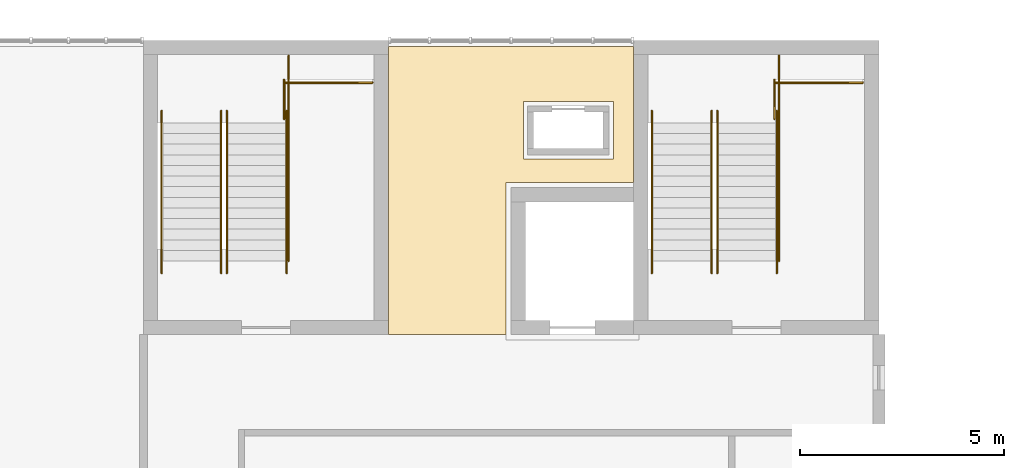
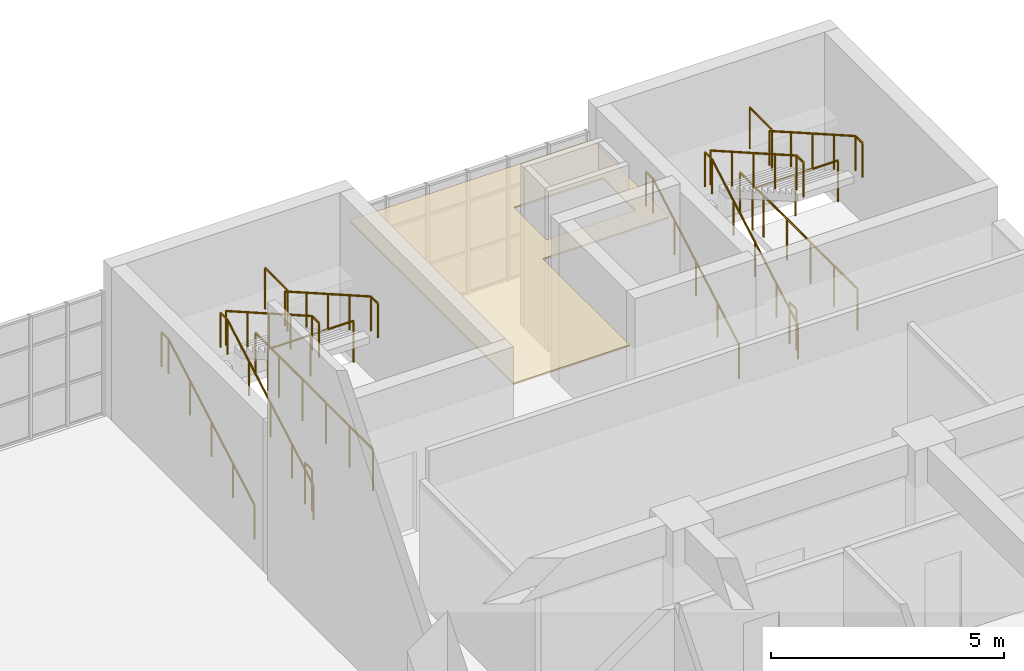
# One storey, part 91 of 92: 16 railings, 1 covering.
"""IFC4 building model written with IfcOpenShell, lengths in metres."""

from ifc_helpers import new_model, si_unit, direction, frame, origin, origin_2d, place, context, subcontext, project, spatial, polyline, circle, outline, extrude, material, layer, layer_set, type_object, element, save


model = new_model("IFC4")

# Units and contexts
model_context = context("Model", 3, precision=1e-05, world=origin(), true_north=direction((0.0, 1.0)))
body_context = subcontext(model_context, "Body", "Model", "MODEL_VIEW")
ifc_project = project(units=[si_unit("LENGTHUNIT", "METRE"), si_unit("AREAUNIT", "SQUARE_METRE"), si_unit("VOLUMEUNIT", "CUBIC_METRE"), si_unit("PLANEANGLEUNIT", "RADIAN"), si_unit("MASSUNIT", "GRAM", prefix="KILO")], contexts=[model_context])

# Site, building, storey
site_placement = place(None, origin())
site = spatial("IfcSite", under=ifc_project, at=site_placement, CompositionType="ELEMENT")
building_placement = place(site_placement, origin())
building = spatial("IfcBuilding", under=site, at=building_placement, Name="Laocheng Heights Fire and Rescue Headquarters", CompositionType="ELEMENT")
storey_placement = place(building_placement, frame((0.0, 0.0, 12.60009765625)))
storey = spatial("IfcBuildingStorey", under=building, at=storey_placement, Name="L03", CompositionType="ELEMENT", Elevation=12.60009765625)

# Railings
ifc_material_1 = material(Name="Steel Q355B", Category="steel")
railing_type_1 = type_object("IfcRailingType", Name="STAIR GUARD 1100", PredefinedType="GUARDRAIL", material=ifc_material_1)
railing_1_placement = place(storey_placement, frame((80.044921875, 66.900146484375, 0.0)))
element("IfcRailing", 1, at=railing_1_placement, inside=storey, type_object=railing_type_1, Name="Stair H2 guard L03 well edge", PredefinedType="GUARDRAIL", context=body_context, shape_type="SweptSolid", body=[
    extrude(circle(Radius=0.02392578125, at=origin_2d()), frame((0.0, 0.0, 1.076171875), z_axis=(0.0, -1.0, 0.0), x_axis=(1.0, 0.0, 0.0)), (0.0, 0.0, 1.0), 0.300048828125),
    extrude(circle(Radius=0.02099609375, at=origin_2d()), origin(), (0.0, 0.0, 1.0), 1.052001953125),
    extrude(circle(Radius=0.02099609375, at=origin_2d()), frame((0.0, -0.300048828125, 0.0)), (0.0, 0.0, 1.0), 1.052001953125),
])
railing_2_placement = place(storey_placement, frame((81.47509765625, 70.969970703125, 0.0)))
element("IfcRailing", 2, at=railing_2_placement, inside=storey, type_object=railing_type_1, Name="Stair H2 guard L03 tongue edge", PredefinedType="GUARDRAIL", context=body_context, shape_type="SweptSolid", body=[
    extrude(circle(Radius=0.02392578125, at=origin_2d()), frame((0.0, 0.0, 1.076171875), z_axis=(1.0, 0.0, 0.0), x_axis=(0.0, 1.0, 0.0)), (0.0, 0.0, 1.0), 2.125),
    extrude(circle(Radius=0.02099609375, at=origin_2d()), origin(), (0.0, 0.0, 1.0), 1.052001953125),
    extrude(circle(Radius=0.02099609375, at=origin_2d()), frame((1.0625, 0.0, 0.0)), (0.0, 0.0, 1.0), 1.052001953125),
    extrude(circle(Radius=0.02099609375, at=origin_2d()), frame((2.125, 0.0, 0.0)), (0.0, 0.0, 1.0), 1.052001953125),
])
railing_3_placement = place(storey_placement, frame((81.554931640625, 71.6298828125, 0.0)))
element("IfcRailing", 3, at=railing_3_placement, inside=storey, type_object=railing_type_1, Name="Stair H2 guard L03 strip edge", PredefinedType="GUARDRAIL", context=body_context, shape_type="SweptSolid", body=[
    extrude(circle(Radius=0.02392578125, at=origin_2d()), frame((0.0, 0.0, 1.076171875), z_axis=(0.0, -1.0, 0.0), x_axis=(1.0, 0.0, 0.0)), (0.0, 0.0, 1.0), 5.02978515625),
    extrude(circle(Radius=0.02099609375, at=origin_2d()), origin(), (0.0, 0.0, 1.0), 1.052001953125),
    extrude(circle(Radius=0.02099609375, at=origin_2d()), frame((0.0, -1.005859375, 0.0)), (0.0, 0.0, 1.0), 1.052001953125),
    extrude(circle(Radius=0.02099609375, at=origin_2d()), frame((0.0, -2.011962890625, 0.0)), (0.0, 0.0, 1.0), 1.052001953125),
    extrude(circle(Radius=0.02099609375, at=origin_2d()), frame((0.0, -3.017822265625, 0.0)), (0.0, 0.0, 1.0), 1.052001953125),
    extrude(circle(Radius=0.02099609375, at=origin_2d()), frame((0.0, -4.02392578125, 0.0)), (0.0, 0.0, 1.0), 1.052001953125),
    extrude(circle(Radius=0.02099609375, at=origin_2d()), frame((0.0, -5.02978515625, 0.0)), (0.0, 0.0, 1.0), 1.052001953125),
])
railing_4_placement = place(storey_placement, frame((81.445068359375, 71.030029296875, 2.099853515625)))
element("IfcRailing", 4, at=railing_4_placement, inside=storey, type_object=railing_type_1, Name="Stair H2 guard L03 half landing", PredefinedType="GUARDRAIL", context=body_context, shape_type="SweptSolid", body=[
    extrude(circle(Radius=0.02392578125, at=origin_2d()), frame((0.0, 0.0, 1.076171875), z_axis=(0.0, -1.0, 0.0), x_axis=(1.0, 0.0, 0.0)), (0.0, 0.0, 1.0), 0.949951171875),
    extrude(circle(Radius=0.02099609375, at=origin_2d()), origin(), (0.0, 0.0, 1.0), 1.052001953125),
    extrude(circle(Radius=0.02099609375, at=origin_2d()), frame((0.0, -0.949951171875, 0.0)), (0.0, 0.0, 1.0), 1.052001953125),
])
railing_5_placement = place(storey_placement, frame((68.044921875, 66.900146484375, 0.0)))
element("IfcRailing", 5, at=railing_5_placement, inside=storey, type_object=railing_type_1, Name="Stair H3 guard L03 well edge", PredefinedType="GUARDRAIL", context=body_context, shape_type="SweptSolid", body=[
    extrude(circle(Radius=0.02392578125, at=origin_2d()), frame((0.0, 0.0, 1.076171875), z_axis=(0.0, -1.0, 0.0), x_axis=(1.0, 0.0, 0.0)), (0.0, 0.0, 1.0), 0.300048828125),
    extrude(circle(Radius=0.02099609375, at=origin_2d()), origin(), (0.0, 0.0, 1.0), 1.052001953125),
    extrude(circle(Radius=0.02099609375, at=origin_2d()), frame((0.0, -0.300048828125, 0.0)), (0.0, 0.0, 1.0), 1.052001953125),
])
railing_6_placement = place(storey_placement, frame((69.47509765625, 70.969970703125, 0.0)))
element("IfcRailing", 6, at=railing_6_placement, inside=storey, type_object=railing_type_1, Name="Stair H3 guard L03 tongue edge", PredefinedType="GUARDRAIL", context=body_context, shape_type="SweptSolid", body=[
    extrude(circle(Radius=0.02392578125, at=origin_2d()), frame((0.0, 0.0, 1.076171875), z_axis=(1.0, 0.0, 0.0), x_axis=(0.0, 1.0, 0.0)), (0.0, 0.0, 1.0), 2.125),
    extrude(circle(Radius=0.02099609375, at=origin_2d()), origin(), (0.0, 0.0, 1.0), 1.052001953125),
    extrude(circle(Radius=0.02099609375, at=origin_2d()), frame((1.0625, 0.0, 0.0)), (0.0, 0.0, 1.0), 1.052001953125),
    extrude(circle(Radius=0.02099609375, at=origin_2d()), frame((2.125, 0.0, 0.0)), (0.0, 0.0, 1.0), 1.052001953125),
])
railing_7_placement = place(storey_placement, frame((69.554931640625, 71.6298828125, 0.0)))
element("IfcRailing", 7, at=railing_7_placement, inside=storey, type_object=railing_type_1, Name="Stair H3 guard L03 strip edge", PredefinedType="GUARDRAIL", context=body_context, shape_type="SweptSolid", body=[
    extrude(circle(Radius=0.02392578125, at=origin_2d()), frame((0.0, 0.0, 1.076171875), z_axis=(0.0, -1.0, 0.0), x_axis=(1.0, 0.0, 0.0)), (0.0, 0.0, 1.0), 5.02978515625),
    extrude(circle(Radius=0.02099609375, at=origin_2d()), origin(), (0.0, 0.0, 1.0), 1.052001953125),
    extrude(circle(Radius=0.02099609375, at=origin_2d()), frame((0.0, -1.005859375, 0.0)), (0.0, 0.0, 1.0), 1.052001953125),
    extrude(circle(Radius=0.02099609375, at=origin_2d()), frame((0.0, -2.011962890625, 0.0)), (0.0, 0.0, 1.0), 1.052001953125),
    extrude(circle(Radius=0.02099609375, at=origin_2d()), frame((0.0, -3.017822265625, 0.0)), (0.0, 0.0, 1.0), 1.052001953125),
    extrude(circle(Radius=0.02099609375, at=origin_2d()), frame((0.0, -4.02392578125, 0.0)), (0.0, 0.0, 1.0), 1.052001953125),
    extrude(circle(Radius=0.02099609375, at=origin_2d()), frame((0.0, -5.02978515625, 0.0)), (0.0, 0.0, 1.0), 1.052001953125),
])
railing_8_placement = place(storey_placement, frame((69.445068359375, 71.030029296875, 2.099853515625)))
element("IfcRailing", 8, at=railing_8_placement, inside=storey, type_object=railing_type_1, Name="Stair H3 guard L03 half landing", PredefinedType="GUARDRAIL", context=body_context, shape_type="SweptSolid", body=[
    extrude(circle(Radius=0.02392578125, at=origin_2d()), frame((0.0, 0.0, 1.076171875), z_axis=(0.0, -1.0, 0.0), x_axis=(1.0, 0.0, 0.0)), (0.0, 0.0, 1.0), 0.949951171875),
    extrude(circle(Radius=0.02099609375, at=origin_2d()), origin(), (0.0, 0.0, 1.0), 1.052001953125),
    extrude(circle(Radius=0.02099609375, at=origin_2d()), frame((0.0, -0.949951171875, 0.0)), (0.0, 0.0, 1.0), 1.052001953125),
])
ifc_material_2 = material(Name="Steel Q355B", Category="steel")
railing_type_2 = type_object("IfcRailingType", Name="STAIR HANDRAIL 920", PredefinedType="HANDRAIL", material=ifc_material_2)
for number, where, name in (
    (9, (78.445068359375, 66.300048828125, 0.0), "Stair H2 handrail L03 1"),
    (10, (79.905029296875, 66.300048828125, 0.0), "Stair H2 handrail L03 2"),
):
    element("IfcRailing", number, at=place(storey_placement, frame(where)), inside=storey, type_object=railing_type_2, Name=name, PredefinedType="HANDRAIL", context=body_context, shape_type="SweptSolid", body=[
        extrude(circle(Radius=0.02392578125, at=origin_2d()), frame((0.0, 0.0, 0.89599609375), z_axis=(0.0, 0.868544392059, 0.495611379029), x_axis=(-1.0, 0.0, 0.0)), (0.0, 0.0, 1.0), 4.23681640625),
        extrude(circle(Radius=0.02392578125, at=origin_2d()), frame((0.0, 3.679931640625, 2.99560546875), z_axis=(0.0, 1.0, 0.0), x_axis=(-1.0, 0.0, 0.0)), (0.0, 0.0, 1.0), 0.300048828125),
        extrude(circle(Radius=0.02099609375, at=origin_2d()), origin(), (0.0, 0.0, 1.0), 0.871826171875),
        extrude(circle(Radius=0.02099609375, at=origin_2d()), frame((0.0, 0.919921875, 0.52490234375)), (0.0, 0.0, 1.0), 0.871826171875),
        extrude(circle(Radius=0.02099609375, at=origin_2d()), frame((0.0, 1.83984375, 1.0498046875)), (0.0, 0.0, 1.0), 0.871826171875),
        extrude(circle(Radius=0.02099609375, at=origin_2d()), frame((0.0, 2.760009765625, 1.574951171875)), (0.0, 0.0, 1.0), 0.871826171875),
        extrude(circle(Radius=0.02099609375, at=origin_2d()), frame((0.0, 3.679931640625, 2.099853515625)), (0.0, 0.0, 1.0), 0.871826171875),
        extrude(circle(Radius=0.02099609375, at=origin_2d()), frame((0.0, 3.97998046875, 2.099853515625)), (0.0, 0.0, 1.0), 0.871826171875),
    ])
for number, where, name in (
    (11, (80.044921875, 70.280029296875, 2.099853515625), "Stair H2 handrail L03 3"),
    (12, (81.5048828125, 70.280029296875, 2.099853515625), "Stair H2 handrail L03 4"),
):
    element("IfcRailing", number, at=place(storey_placement, frame(where)), inside=storey, type_object=railing_type_2, Name=name, PredefinedType="HANDRAIL", context=body_context, shape_type="SweptSolid", body=[
        extrude(circle(Radius=0.02392578125, at=origin_2d()), frame((0.0, 0.0, 0.89599609375), z_axis=(0.0, -0.868519587458, 0.495654845838), x_axis=(1.0, 0.0, 0.0)), (0.0, 0.0, 1.0), 4.237060546875),
        extrude(circle(Radius=0.02392578125, at=origin_2d()), frame((0.0, -3.679931640625, 2.99609375), z_axis=(0.0, -1.0, 0.0), x_axis=(1.0, 0.0, 0.0)), (0.0, 0.0, 1.0), 0.300048828125),
        extrude(circle(Radius=0.02099609375, at=origin_2d()), origin(), (0.0, 0.0, 1.0), 0.871826171875),
        extrude(circle(Radius=0.02099609375, at=origin_2d()), frame((0.0, -0.919921875, 0.52490234375)), (0.0, 0.0, 1.0), 0.871826171875),
        extrude(circle(Radius=0.02099609375, at=origin_2d()), frame((0.0, -1.83984375, 1.050048828125)), (0.0, 0.0, 1.0), 0.871826171875),
        extrude(circle(Radius=0.02099609375, at=origin_2d()), frame((0.0, -2.760009765625, 1.5751953125)), (0.0, 0.0, 1.0), 0.871826171875),
        extrude(circle(Radius=0.02099609375, at=origin_2d()), frame((0.0, -3.679931640625, 2.10009765625)), (0.0, 0.0, 1.0), 0.871826171875),
        extrude(circle(Radius=0.02099609375, at=origin_2d()), frame((0.0, -3.97998046875, 2.10009765625)), (0.0, 0.0, 1.0), 0.871826171875),
    ])
for number, where, name in (
    (13, (66.445068359375, 66.300048828125, 0.0), "Stair H3 handrail L03 1"),
    (14, (67.905029296875, 66.300048828125, 0.0), "Stair H3 handrail L03 2"),
):
    element("IfcRailing", number, at=place(storey_placement, frame(where)), inside=storey, type_object=railing_type_2, Name=name, PredefinedType="HANDRAIL", context=body_context, shape_type="SweptSolid", body=[
        extrude(circle(Radius=0.02392578125, at=origin_2d()), frame((0.0, 0.0, 0.89599609375), z_axis=(0.0, 0.868544392059, 0.495611379029), x_axis=(-1.0, 0.0, 0.0)), (0.0, 0.0, 1.0), 4.23681640625),
        extrude(circle(Radius=0.02392578125, at=origin_2d()), frame((0.0, 3.679931640625, 2.99560546875), z_axis=(0.0, 1.0, 0.0), x_axis=(-1.0, 0.0, 0.0)), (0.0, 0.0, 1.0), 0.300048828125),
        extrude(circle(Radius=0.02099609375, at=origin_2d()), origin(), (0.0, 0.0, 1.0), 0.871826171875),
        extrude(circle(Radius=0.02099609375, at=origin_2d()), frame((0.0, 0.919921875, 0.52490234375)), (0.0, 0.0, 1.0), 0.871826171875),
        extrude(circle(Radius=0.02099609375, at=origin_2d()), frame((0.0, 1.83984375, 1.0498046875)), (0.0, 0.0, 1.0), 0.871826171875),
        extrude(circle(Radius=0.02099609375, at=origin_2d()), frame((0.0, 2.760009765625, 1.574951171875)), (0.0, 0.0, 1.0), 0.871826171875),
        extrude(circle(Radius=0.02099609375, at=origin_2d()), frame((0.0, 3.679931640625, 2.099853515625)), (0.0, 0.0, 1.0), 0.871826171875),
        extrude(circle(Radius=0.02099609375, at=origin_2d()), frame((0.0, 3.97998046875, 2.099853515625)), (0.0, 0.0, 1.0), 0.871826171875),
    ])
for number, where, name in (
    (15, (68.044921875, 70.280029296875, 2.099853515625), "Stair H3 handrail L03 3"),
    (16, (69.5048828125, 70.280029296875, 2.099853515625), "Stair H3 handrail L03 4"),
):
    element("IfcRailing", number, at=place(storey_placement, frame(where)), inside=storey, type_object=railing_type_2, Name=name, PredefinedType="HANDRAIL", context=body_context, shape_type="SweptSolid", body=[
        extrude(circle(Radius=0.02392578125, at=origin_2d()), frame((0.0, 0.0, 0.89599609375), z_axis=(0.0, -0.868519587458, 0.495654845838), x_axis=(1.0, 0.0, 0.0)), (0.0, 0.0, 1.0), 4.237060546875),
        extrude(circle(Radius=0.02392578125, at=origin_2d()), frame((0.0, -3.679931640625, 2.99609375), z_axis=(0.0, -1.0, 0.0), x_axis=(1.0, 0.0, 0.0)), (0.0, 0.0, 1.0), 0.300048828125),
        extrude(circle(Radius=0.02099609375, at=origin_2d()), origin(), (0.0, 0.0, 1.0), 0.871826171875),
        extrude(circle(Radius=0.02099609375, at=origin_2d()), frame((0.0, -0.919921875, 0.52490234375)), (0.0, 0.0, 1.0), 0.871826171875),
        extrude(circle(Radius=0.02099609375, at=origin_2d()), frame((0.0, -1.83984375, 1.050048828125)), (0.0, 0.0, 1.0), 0.871826171875),
        extrude(circle(Radius=0.02099609375, at=origin_2d()), frame((0.0, -2.760009765625, 1.5751953125)), (0.0, 0.0, 1.0), 0.871826171875),
        extrude(circle(Radius=0.02099609375, at=origin_2d()), frame((0.0, -3.679931640625, 2.10009765625)), (0.0, 0.0, 1.0), 0.871826171875),
        extrude(circle(Radius=0.02099609375, at=origin_2d()), frame((0.0, -3.97998046875, 2.10009765625)), (0.0, 0.0, 1.0), 0.871826171875),
    ])

# Covering
ifc_material_3 = material(Name="Mineral fibre ceiling tile")
ifc_layer = layer(ifc_material_3, 0.0400390625)
ifc_layer_set = layer_set([ifc_layer], Name="Mineral fibre ceiling tile")
covering_type = type_object("IfcCoveringType", Name="SUSPENDED CEILING MINERAL FIBRE TILE HQ WING", PredefinedType="CEILING", material=ifc_layer_set)
covering_placement = place(storey_placement, frame((0.0, 0.0, 3.0)))
element("IfcCovering", 17, at=covering_placement, inside=storey, type_object=covering_type, Name="Riser Lobby ceiling", PredefinedType="CEILING", context=body_context, shape_type="SweptSolid", body=[
    extrude(outline(polyline([(72.0, 71.85009765625), (78.0, 71.85009765625), (78.0, 68.52490234375), (77.875, 68.52490234375), (75.125, 68.52490234375), (74.875, 68.52490234375), (74.875, 68.27490234375), (74.875, 64.925048828125), (74.875, 64.800048828125), (72.0, 64.800048828125), (72.0, 71.85009765625)]), holes=[polyline([(75.300048828125, 69.10009765625), (75.5, 69.10009765625), (77.300048828125, 69.10009765625), (77.5, 69.10009765625), (77.5, 69.300048828125), (77.5, 70.300048828125), (77.5, 70.5), (77.300048828125, 70.5), (75.5, 70.5), (75.300048828125, 70.5), (75.300048828125, 70.300048828125), (75.300048828125, 69.300048828125), (75.300048828125, 69.10009765625)])]), origin(), (0.0, 0.0, 1.0), 0.039794921875),
])

save(model, "model.ifc")
